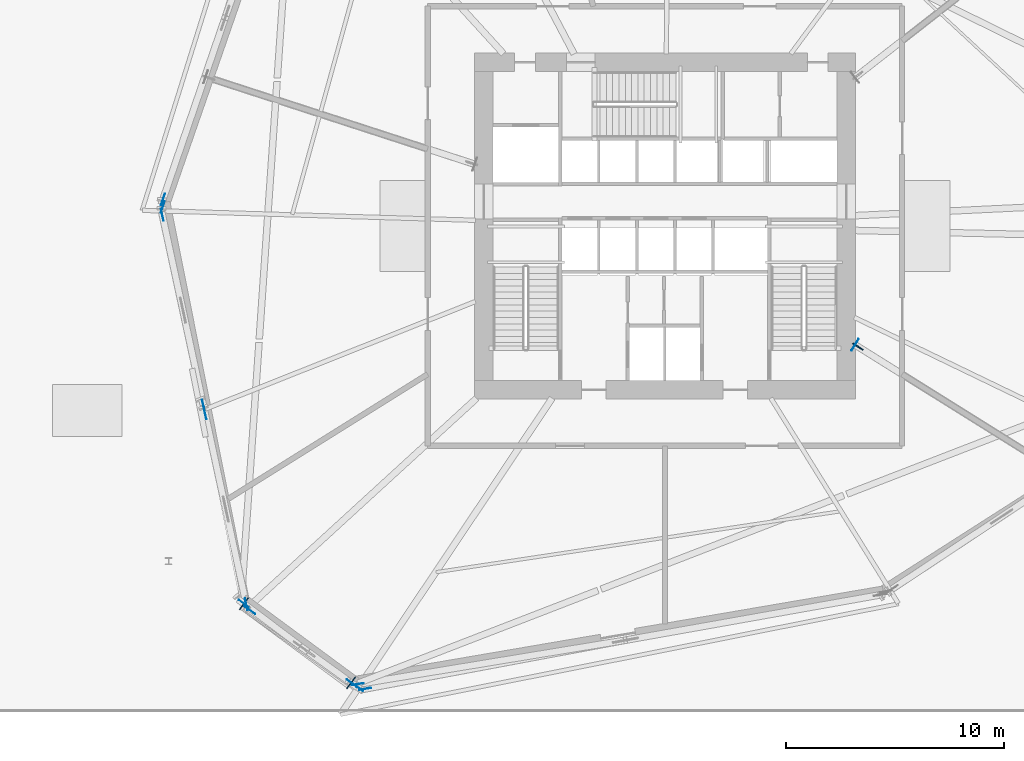
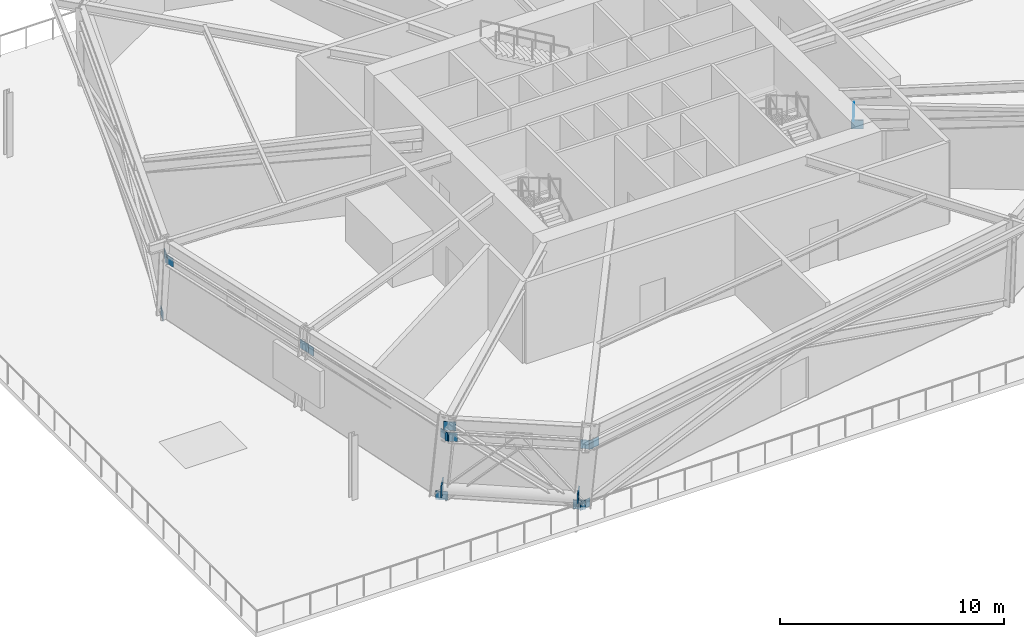
# One storey, part 9 of 20: 18 plates.
"""IFC4 building model written with IfcOpenShell, lengths in metres."""

from ifc_helpers import new_model, si_unit, direction, frame, origin, origin_2d, place, context, subcontext, project, spatial, rectangle, extrude, source, transform, mapped, material, type_object, element, save


model = new_model("IFC4")

# Units and contexts
model_context = context("Model", 3, precision=1e-05, world=origin(), true_north=direction((0.0, 1.0)))
body_context = subcontext(model_context, "Body", "Model", "MODEL_VIEW")
ifc_project = project(units=[si_unit("LENGTHUNIT", "METRE"), si_unit("AREAUNIT", "SQUARE_METRE"), si_unit("VOLUMEUNIT", "CUBIC_METRE"), si_unit("PLANEANGLEUNIT", "RADIAN"), si_unit("MASSUNIT", "GRAM", prefix="KILO")], contexts=[model_context])

# Site, building, storey
site_placement = place(None, origin())
site = spatial("IfcSite", under=ifc_project, at=site_placement, CompositionType="ELEMENT")
building_placement = place(site_placement, origin())
building = spatial("IfcBuilding", under=site, at=building_placement, Name="Olszyna Solenne Hotel", CompositionType="ELEMENT")
storey_placement = place(building_placement, frame((0.0, 0.0, 24.60009765625)))
storey = spatial("IfcBuildingStorey", under=building, at=storey_placement, Name="L05", CompositionType="ELEMENT", Elevation=24.60009765625)

# Plates
ifc_material_1 = material(Name="Steel S460M", Category="steel")
plate_type_1 = type_object("IfcPlateType", Name="GP-CAP2", PredefinedType="USERDEFINED", material=ifc_material_1)
shared_shape_1 = source(origin(), body_context, "Body", "SweptSolid", [
    extrude(rectangle(XDim=0.030029296875, YDim=0.6201171875, at=origin_2d()), origin(), (0.0, 0.0, 1.0), 0.6201171875),
])
plate_1_placement = place(storey_placement, frame((46.7373046875, 21.140380859375, 3.68994140625), z_axis=(0.0, 0.0, 1.0), x_axis=(0.848048096156, -0.529919264233, 0.0)))
element("IfcPlate", 1, at=plate_1_placement, inside=storey, type_object=plate_type_1, Name="Hollow section end-cap plate GP-CAP2 CP-OC-OC-L05-01-1", ObjectType="GUSSET_PLATE", PredefinedType="USERDEFINED", context=body_context, shape_type="MappedRepresentation", body=[
    mapped(shared_shape_1, transform((0.0, 0.0, 0.0), x_axis=(1.0, 0.0, 0.0), y_axis=(0.0, 1.0, 0.0), z_axis=(0.0, 0.0, 1.0), scale=1.0)),
])
ifc_material_2 = material(Name="Steel S355J2", Category="steel")
plate_type_2 = type_object("IfcPlateType", Name="GP-ND2", PredefinedType="USERDEFINED", material=ifc_material_2)
shared_shape_2 = source(origin(), body_context, "Body", "SweptSolid", [
    extrude(rectangle(XDim=0.56005859375, YDim=0.02001953125, at=origin_2d()), origin(), (0.0, 0.0, 1.0), 0.47998046875),
])
for number, where, z_axis, x_axis, name in (
    (2, (23.619873046875, 5.587890625, -0.152099609375), (0.0, 0.0, 1.0), (-0.812897512265, 0.582406760395, 0.0), "Brace end connection gusset plate GP-ND2 EP-BR-L05-3-1"),
    (3, (18.899658203125, 8.9697265625, 3.746826171875), (0.0, 0.0, 1.0), (-0.812897512265, 0.582406760395, 0.0), "Brace end connection gusset plate GP-ND2 EP-BR-L05-3-2"),
    (4, (14.92724609375, 27.470458984375, 3.159912109375), (0.0, 0.0, 1.0), (-0.31332955548, -0.949644454342, 0.0), "Brace end connection gusset plate GP-ND2 EP-CH-L05-06-2"),
    (5, (14.940185546875, 27.824462890625, -0.170654296875), (0.0, 0.0, 1.0), (0.323917418198, 0.946085358828, 0.0), "Brace end connection gusset plate GP-ND2 EP-BT-L05-06-2-1"),
    (6, (14.90869140625, 27.12353515625, 3.159912109375), (0.0, 0.0, 1.0), (0.210642379992, -0.977563188623, 0.0), "Brace end connection gusset plate GP-ND2 EP-CH-L05-07-1"),
    (7, (16.800048828125, 18.344482421875, 3.159912109375), (0.0, 0.0, 1.0), (0.210642379992, -0.977563188623, 0.0), "Brace end connection gusset plate GP-ND2 EP-CH-L05-07-2"),
    (8, (16.8759765625, 17.992431640625, 3.159912109375), (0.0, 0.0, 1.0), (0.210642379992, -0.977563188623, 0.0), "Brace end connection gusset plate GP-ND2 EP-CH-L05-08-1"),
    (9, (18.767333984375, 9.21337890625, 3.159912109375), (0.0, 0.0, 1.0), (0.210642379992, -0.977563188623, 0.0), "Brace end connection gusset plate GP-ND2 EP-CH-L05-08-2"),
    (10, (18.951904296875, 8.93310546875, 3.159912109375), (0.0, 0.0, 1.0), (0.814115518356, -0.580702955711, 0.0), "Brace end connection gusset plate GP-ND2 EP-CH-L05-09-1"),
    (11, (23.900634765625, 5.40283203125, 3.159912109375), (0.0, 0.0, 1.0), (0.814115518356, -0.580702955711, 0.0), "Brace end connection gusset plate GP-ND2 EP-CH-L05-09-2"),
    (12, (18.645263671875, 9.25634765625, -0.1240234375), (0.0, 0.0, 1.0), (0.799579853209, -0.600559787483, 0.0), "Brace end connection gusset plate GP-ND2 EP-BT-L05-09-1-1"),
    (13, (23.60986328125, 5.595947265625, -0.112060546875), (0.0, 0.0, 1.0), (-0.811573981965, 0.584249665637, 0.0), "Brace end connection gusset plate GP-ND2 EP-BT-L05-09-2-1"),
    (14, (24.22412109375, 5.33154296875, 3.159912109375), (0.0, 0.0, 1.0), (0.98293534915, 0.183951350613, 0.0), "Brace end connection gusset plate GP-ND2 EP-CH-L05-10-1"),
    (15, (23.88720703125, 5.548828125, -0.183837890625), (0.0, 0.0, 1.0), (0.986742655175, 0.162292736925, 0.0), "Brace end connection gusset plate GP-ND2 EP-BT-L05-10-1-1"),
):
    element("IfcPlate", number, at=place(storey_placement, frame(where, z_axis=z_axis, x_axis=x_axis)), inside=storey, type_object=plate_type_2, Name=name, ObjectType="GUSSET_PLATE", PredefinedType="USERDEFINED", context=body_context, shape_type="MappedRepresentation", body=[
        mapped(shared_shape_2, transform((0.0, 0.0, 0.0), x_axis=(1.0, 0.0, 0.0), y_axis=(0.0, 1.0, 0.0), z_axis=(0.0, 0.0, 1.0), scale=1.0)),
    ])
plate_type_3 = type_object("IfcPlateType", Name="GP-ND1", PredefinedType="USERDEFINED", material=ifc_material_1)
shared_shape_3 = source(origin(), body_context, "Body", "SweptSolid", [
    extrude(rectangle(XDim=0.56005859375, YDim=0.06005859375, at=origin_2d()), origin(), (0.0, 0.0, 1.0), 0.47998046875),
])
plate_2_placement = place(storey_placement, frame((46.868408203125, 21.058349609375, 3.068603515625), z_axis=(0.0, 0.0, 1.0), x_axis=(0.848048096156, -0.529919264233, 0.0)))
element("IfcPlate", 16, at=plate_2_placement, inside=storey, type_object=plate_type_3, Name="Brace end connection gusset plate GP-ND1 EP-OU-L05-01-1", ObjectType="GUSSET_PLATE", PredefinedType="USERDEFINED", context=body_context, shape_type="MappedRepresentation", body=[
    mapped(shared_shape_3, transform((0.0, 0.0, 0.0), x_axis=(1.0, 0.0, 0.0), y_axis=(0.0, 1.0, 0.0), z_axis=(0.0, 0.0, 1.0), scale=1.0)),
])
plate_type_4 = type_object("IfcPlateType", Name="GP-CAP1", PredefinedType="USERDEFINED", material=ifc_material_1)
shared_shape_4 = source(origin(), body_context, "Body", "SweptSolid", [
    extrude(rectangle(XDim=0.0400390625, YDim=0.659912109375, at=origin_2d()), origin(), (0.0, 0.0, 1.0), 0.659912109375),
])
for number, where, z_axis, x_axis, name in (
    (17, (18.660400390625, 9.246337890625, 0.2197265625), (0.0, 0.0, 1.0), (0.804893797356, -0.593418886604, 0.0), "Hollow section end-cap plate GP-CAP1 CP-CTB-CTB-L05-3-1"),
    (18, (23.58544921875, 5.614990234375, 0.2197265625), (0.0, 0.0, 1.0), (0.804893797356, -0.593418886604, 0.0), "Hollow section end-cap plate GP-CAP1 CP-CTB-CTB-L05-3-2"),
):
    element("IfcPlate", number, at=place(storey_placement, frame(where, z_axis=z_axis, x_axis=x_axis)), inside=storey, type_object=plate_type_4, Name=name, ObjectType="GUSSET_PLATE", PredefinedType="USERDEFINED", context=body_context, shape_type="MappedRepresentation", body=[
        mapped(shared_shape_4, transform((0.0, 0.0, 0.0), x_axis=(1.0, 0.0, 0.0), y_axis=(0.0, 1.0, 0.0), z_axis=(0.0, 0.0, 1.0), scale=1.0)),
    ])

save(model, "model.ifc")
